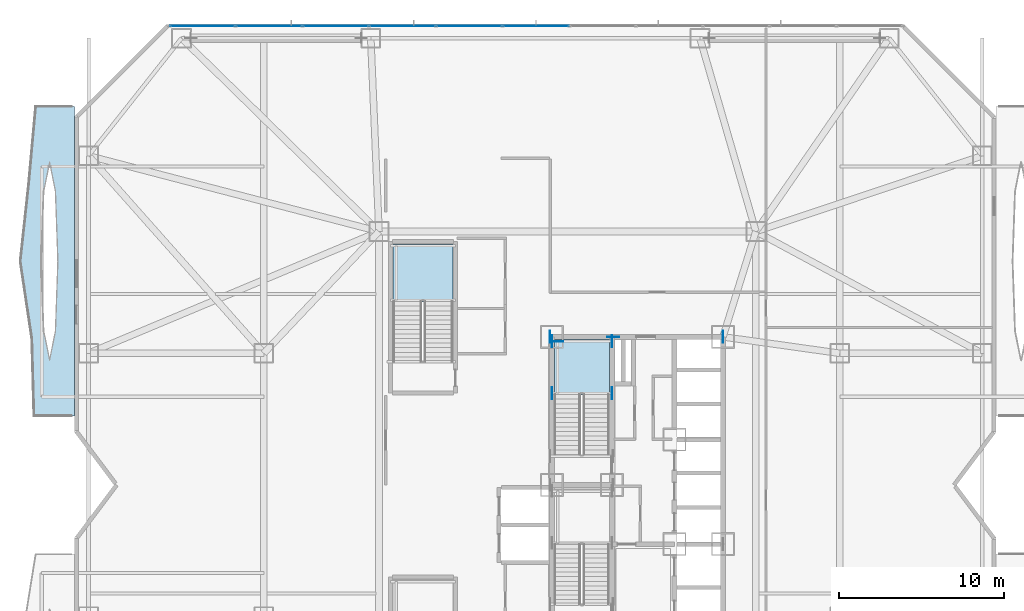
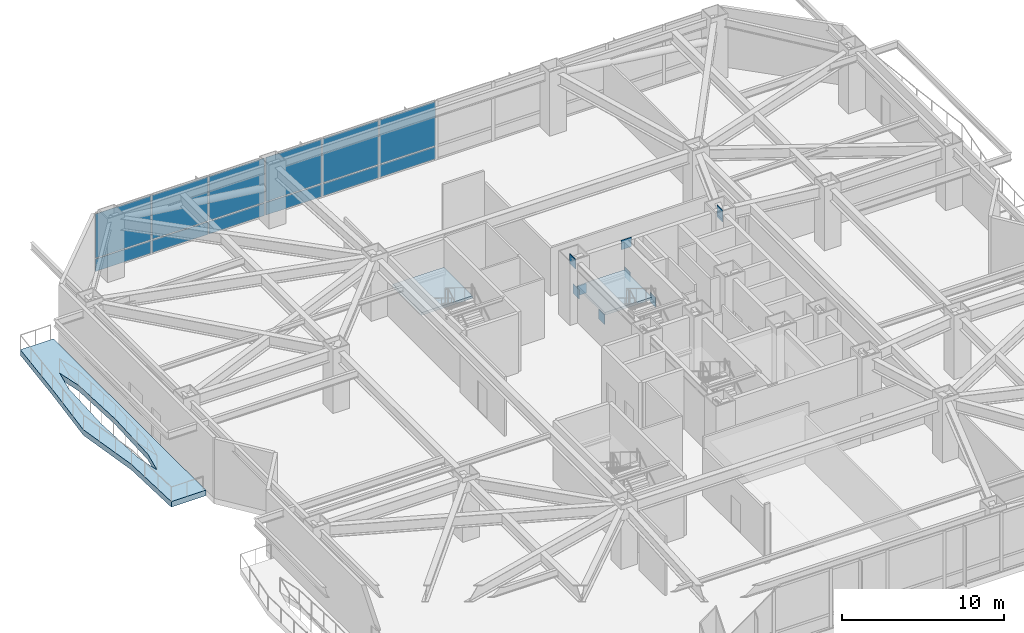
# One storey, part 19 of 33: 21 plates, 3 slabs, 3 elements without a shape of their own.
"""IFC4 building model written with IfcOpenShell, lengths in metres."""

from ifc_helpers import new_model, si_unit, direction, frame, origin, origin_2d, place, context, subcontext, project, spatial, polyline, rectangle, outline, extrude, material, layer, layer_set, type_object, element, aggregate, save


model = new_model("IFC4")

# Units and contexts
model_context = context("Model", 3, precision=1e-05, world=origin(), true_north=direction((0.0, 1.0)))
body_context = subcontext(model_context, "Body", "Model", "MODEL_VIEW")
ifc_project = project(units=[si_unit("LENGTHUNIT", "METRE"), si_unit("AREAUNIT", "SQUARE_METRE"), si_unit("VOLUMEUNIT", "CUBIC_METRE"), si_unit("PLANEANGLEUNIT", "RADIAN"), si_unit("MASSUNIT", "GRAM", prefix="KILO")], contexts=[model_context])

# Site, building, storey
site_placement = place(None, origin())
site = spatial("IfcSite", under=ifc_project, at=site_placement, CompositionType="ELEMENT")
building_placement = place(site_placement, origin())
building = spatial("IfcBuilding", under=site, at=building_placement, Name="Khamvora Tower", CompositionType="ELEMENT")
storey_placement = place(building_placement, frame((0.0, 0.0, 7.199951171875)))
storey = spatial("IfcBuildingStorey", under=building, at=storey_placement, Name="L01", CompositionType="ELEMENT", Elevation=7.199951171875)

# Curtain wall, plates
ifc_material_1 = material(Name="Anodised Aluminium 6063-T6", Category="aluminium")
curtain_wall_type = type_object("IfcCurtainWallType", Name="CW-SYS-01", PredefinedType="NOTDEFINED", material=ifc_material_1)
curtain_wall_placement = place(storey_placement, origin())
curtain_wall = element("IfcCurtainWall", 1, at=curtain_wall_placement, inside=storey, type_object=curtain_wall_type, Name="L01 stick curtain wall 07.1", PredefinedType="NOTDEFINED")
ifc_material_2 = material(Name="Low-E Laminated Double Glazing", Category="glass")
ifc_layer_1 = layer(ifc_material_2, 0.035888671875)
ifc_layer_set_1 = layer_set([ifc_layer_1], Name="Low-E Laminated Double Glazing")
plate_type_1 = type_object("IfcPlateType", Name="CW-SYS-01-PNL", PredefinedType="CURTAIN_PANEL", material=ifc_layer_set_1)
plate_1_placement = place(storey_placement, frame((7.774169921875, 55.8798828125, 0.074951171875), z_axis=(0.0, 0.0, 1.0), x_axis=(1.0, 0.0, 0.0)))
plate_1 = element("IfcPlate", 2, at=plate_1_placement, type_object=plate_type_1, Name="CW-01 panel 1.1", PredefinedType="CURTAIN_PANEL", context=body_context, shape_type="SweptSolid", body=[
    extrude(rectangle(XDim=3.944091796875, YDim=0.035888671875, at=origin_2d()), origin(), (0.0, 0.0, 1.0), 0.9375),
])
plate_2_placement = place(storey_placement, frame((7.774169921875, 55.8798828125, 1.087646484375), z_axis=(0.0, 0.0, 1.0), x_axis=(1.0, 0.0, 0.0)))
plate_2 = element("IfcPlate", 3, at=plate_2_placement, type_object=plate_type_1, Name="CW-01 panel 1.2", PredefinedType="CURTAIN_PANEL", context=body_context, shape_type="SweptSolid", body=[
    extrude(rectangle(XDim=3.944091796875, YDim=0.035888671875, at=origin_2d()), origin(), (0.0, 0.0, 1.0), 3.3173828125),
])
plate_3_placement = place(storey_placement, frame((11.81201171875, 55.8798828125, 0.074951171875), z_axis=(0.0, 0.0, 1.0), x_axis=(1.0, 0.0, 0.0)))
plate_3 = element("IfcPlate", 4, at=plate_3_placement, type_object=plate_type_1, Name="CW-01 panel 2.1", PredefinedType="CURTAIN_PANEL", context=body_context, shape_type="SweptSolid", body=[
    extrude(rectangle(XDim=3.981689453125, YDim=0.035888671875, at=origin_2d()), origin(), (0.0, 0.0, 1.0), 0.9375),
])
plate_4_placement = place(storey_placement, frame((11.81201171875, 55.8798828125, 1.087646484375), z_axis=(0.0, 0.0, 1.0), x_axis=(1.0, 0.0, 0.0)))
plate_4 = element("IfcPlate", 5, at=plate_4_placement, type_object=plate_type_1, Name="CW-01 panel 2.2", PredefinedType="CURTAIN_PANEL", context=body_context, shape_type="SweptSolid", body=[
    extrude(rectangle(XDim=3.981689453125, YDim=0.035888671875, at=origin_2d()), origin(), (0.0, 0.0, 1.0), 3.3173828125),
])
plate_5_placement = place(storey_placement, frame((15.86865234375, 55.8798828125, 0.074951171875), z_axis=(0.0, 0.0, 1.0), x_axis=(1.0, 0.0, 0.0)))
plate_5 = element("IfcPlate", 6, at=plate_5_placement, type_object=plate_type_1, Name="CW-01 panel 3.1", PredefinedType="CURTAIN_PANEL", context=body_context, shape_type="SweptSolid", body=[
    extrude(rectangle(XDim=3.981689453125, YDim=0.035888671875, at=origin_2d()), origin(), (0.0, 0.0, 1.0), 0.9375),
])
plate_6_placement = place(storey_placement, frame((15.86865234375, 55.8798828125, 1.087646484375), z_axis=(0.0, 0.0, 1.0), x_axis=(1.0, 0.0, 0.0)))
plate_6 = element("IfcPlate", 7, at=plate_6_placement, type_object=plate_type_1, Name="CW-01 panel 3.2", PredefinedType="CURTAIN_PANEL", context=body_context, shape_type="SweptSolid", body=[
    extrude(rectangle(XDim=3.981689453125, YDim=0.035888671875, at=origin_2d()), origin(), (0.0, 0.0, 1.0), 3.3173828125),
])
plate_7_placement = place(storey_placement, frame((19.92529296875, 55.8798828125, 0.074951171875), z_axis=(0.0, 0.0, 1.0), x_axis=(1.0, 0.0, 0.0)))
plate_7 = element("IfcPlate", 8, at=plate_7_placement, type_object=plate_type_1, Name="CW-01 panel 4.1", PredefinedType="CURTAIN_PANEL", context=body_context, shape_type="SweptSolid", body=[
    extrude(rectangle(XDim=3.981689453125, YDim=0.035888671875, at=origin_2d()), origin(), (0.0, 0.0, 1.0), 0.9375),
])
plate_8_placement = place(storey_placement, frame((19.92529296875, 55.8798828125, 1.087646484375), z_axis=(0.0, 0.0, 1.0), x_axis=(1.0, 0.0, 0.0)))
plate_8 = element("IfcPlate", 9, at=plate_8_placement, type_object=plate_type_1, Name="CW-01 panel 4.2", PredefinedType="CURTAIN_PANEL", context=body_context, shape_type="SweptSolid", body=[
    extrude(rectangle(XDim=3.981689453125, YDim=0.035888671875, at=origin_2d()), origin(), (0.0, 0.0, 1.0), 3.3173828125),
])
plate_9_placement = place(storey_placement, frame((23.98193359375, 55.8798828125, 0.074951171875), z_axis=(0.0, 0.0, 1.0), x_axis=(1.0, 0.0, 0.0)))
plate_9 = element("IfcPlate", 10, at=plate_9_placement, type_object=plate_type_1, Name="CW-01 panel 5.1", PredefinedType="CURTAIN_PANEL", context=body_context, shape_type="SweptSolid", body=[
    extrude(rectangle(XDim=3.981689453125, YDim=0.035888671875, at=origin_2d()), origin(), (0.0, 0.0, 1.0), 0.9375),
])
plate_10_placement = place(storey_placement, frame((23.98193359375, 55.8798828125, 1.087646484375), z_axis=(0.0, 0.0, 1.0), x_axis=(1.0, 0.0, 0.0)))
plate_10 = element("IfcPlate", 11, at=plate_10_placement, type_object=plate_type_1, Name="CW-01 panel 5.2", PredefinedType="CURTAIN_PANEL", context=body_context, shape_type="SweptSolid", body=[
    extrude(rectangle(XDim=3.981689453125, YDim=0.035888671875, at=origin_2d()), origin(), (0.0, 0.0, 1.0), 3.3173828125),
])
plate_11_placement = place(storey_placement, frame((28.03857421875, 55.8798828125, 0.074951171875), z_axis=(0.0, 0.0, 1.0), x_axis=(1.0, 0.0, 0.0)))
plate_11 = element("IfcPlate", 12, at=plate_11_placement, type_object=plate_type_1, Name="CW-01 panel 6.1", PredefinedType="CURTAIN_PANEL", context=body_context, shape_type="SweptSolid", body=[
    extrude(rectangle(XDim=3.981689453125, YDim=0.035888671875, at=origin_2d()), origin(), (0.0, 0.0, 1.0), 0.9375),
])
plate_12_placement = place(storey_placement, frame((28.03857421875, 55.8798828125, 1.087646484375), z_axis=(0.0, 0.0, 1.0), x_axis=(1.0, 0.0, 0.0)))
plate_12 = element("IfcPlate", 13, at=plate_12_placement, type_object=plate_type_1, Name="CW-01 panel 6.2", PredefinedType="CURTAIN_PANEL", context=body_context, shape_type="SweptSolid", body=[
    extrude(rectangle(XDim=3.981689453125, YDim=0.035888671875, at=origin_2d()), origin(), (0.0, 0.0, 1.0), 3.3173828125),
])
aggregate(curtain_wall, [plate_1, plate_2, plate_3, plate_4, plate_5, plate_6, plate_7, plate_8, plate_9, plate_10, plate_11, plate_12])

# Plates
ifc_material_3 = material(Name="Steel S460", Category="steel")
ifc_layer_2 = layer(ifc_material_3, 0.034912109375)
ifc_layer_set_2 = layer_set([ifc_layer_2], Name="Steel S460")
plate_type_2 = type_object("IfcPlateType", Name="PL-EMB-35", PredefinedType="SHEET", material=ifc_layer_set_2)
for number, where, z_axis, x_axis, name in (
    (14, (29.0, 33.574951171875, 1.708984375), (0.0, 0.0, 1.0), (1.0, 0.0, 0.0), "L01 core shear wall cast-in embed plate 0083"),
    (15, (32.64990234375, 33.574951171875, 1.708984375), (0.0, 0.0, 1.0), (1.0, 0.0, 0.0), "L01 core shear wall cast-in embed plate 0084"),
    (16, (29.0, 36.72998046875, 1.708984375), (0.0, 0.0, 1.0), (1.0, 0.0, 0.0), "L01 core shear wall cast-in embed plate 0085"),
    (17, (32.64990234375, 36.72998046875, 1.708984375), (0.0, 0.0, 1.0), (1.0, 0.0, 0.0), "L01 core shear wall cast-in embed plate 0086"),
):
    element("IfcPlate", number, at=place(storey_placement, frame(where, z_axis=z_axis, x_axis=x_axis)), inside=storey, type_object=plate_type_2, Name=name, PredefinedType="SHEET", context=body_context, shape_type="SweptSolid", body=[
        extrude(rectangle(XDim=0.034912109375, YDim=0.719970703125, at=origin_2d()), origin(), (0.0, 0.0, 1.0), 0.719970703125),
    ])
plate_13_placement = place(storey_placement, frame((29.35009765625, 36.72998046875, 1.708984375), z_axis=(0.0, 0.0, 1.0), x_axis=(1.0, 0.0, 0.0)))
element("IfcPlate", 18, at=plate_13_placement, inside=storey, type_object=plate_type_2, Name="L01 core shear wall cast-in embed plate 0087", PredefinedType="SHEET", context=body_context, shape_type="SweptSolid", body=[
    extrude(rectangle(XDim=0.719970703125, YDim=0.034912109375, at=origin_2d()), origin(), (0.0, 0.0, 1.0), 0.719970703125),
])
for number, where, z_axis, x_axis, name in (
    (19, (39.39990234375, 37.0, 3.69189453125), (0.0, 0.0, 1.0), (1.0, 0.0, 0.0), "L01 core shear wall cast-in embed plate 0089"),
    (20, (28.89990234375, 37.0, 3.85302734375), (0.0, 0.0, 1.0), (1.0, 0.0, 0.0), "L01 core shear wall cast-in embed plate 0092"),
):
    element("IfcPlate", number, at=place(storey_placement, frame(where, z_axis=z_axis, x_axis=x_axis)), inside=storey, type_object=plate_type_2, Name=name, PredefinedType="SHEET", context=body_context, shape_type="SweptSolid", body=[
        extrude(rectangle(XDim=0.034912109375, YDim=0.719970703125, at=origin_2d()), origin(), (0.0, 0.0, 1.0), 0.719970703125),
    ])
plate_14_placement = place(storey_placement, frame((32.72998046875, 37.0, 3.85302734375), z_axis=(0.0, 0.0, 1.0), x_axis=(1.0, 0.0, 0.0)))
element("IfcPlate", 21, at=plate_14_placement, inside=storey, type_object=plate_type_2, Name="L01 core shear wall cast-in embed plate 0095", PredefinedType="SHEET", context=body_context, shape_type="SweptSolid", body=[
    extrude(rectangle(XDim=0.719970703125, YDim=0.034912109375, at=origin_2d()), origin(), (0.0, 0.0, 1.0), 0.719970703125),
])
plate_15_placement = place(storey_placement, frame((39.39990234375, 37.0, 3.85302734375), z_axis=(0.0, 0.0, 1.0), x_axis=(1.0, 0.0, 0.0)))
element("IfcPlate", 22, at=plate_15_placement, inside=storey, type_object=plate_type_2, Name="L01 core shear wall cast-in embed plate 0098", PredefinedType="SHEET", context=body_context, shape_type="SweptSolid", body=[
    extrude(rectangle(XDim=0.034912109375, YDim=0.719970703125, at=origin_2d()), origin(), (0.0, 0.0, 1.0), 0.719970703125),
])

# Slab
ifc_material_4 = material(Name="Concrete C40/50", Category="concrete")
ifc_layer_3 = layer(ifc_material_4, 0.419921875)
ifc_layer_set_3 = layer_set([ifc_layer_3], Name="Concrete C40/50")
slab_type_1 = type_object("IfcSlabType", Name="SLB-GRD-420", PredefinedType="FLOOR", material=ifc_layer_set_3)
slab_1_placement = place(storey_placement, frame((0.0, 0.0, -0.419921875)))
element("IfcSlab", 23, at=slab_1_placement, inside=storey, type_object=slab_type_1, Name="L01 external lens gallery slab WL2", PredefinedType="FLOOR", context=body_context, shape_type="SweptSolid", body=[
    extrude(outline(polyline([(0.0, 32.199951171875), (0.0, 51.0), (-2.35302734375, 51.0), (-2.779052734375, 46.300048828125), (-3.2900390625, 41.60009765625), (-2.5869140625, 36.89990234375), (-2.4580078125, 32.199951171875), (0.0, 32.199951171875)]), holes=[polyline([(-1.010986328125, 41.60009765625), (-1.158935546875, 45.85400390625), (-1.514892578125, 47.615966796875), (-1.87109375, 45.85400390625), (-2.01904296875, 41.60009765625), (-1.87109375, 37.345947265625), (-1.514892578125, 35.583984375), (-1.158935546875, 37.345947265625), (-1.010986328125, 41.60009765625)])]), origin(), (0.0, 0.0, 1.0), 0.419921875),
])

# Stair, slab
stair_type_1 = type_object("IfcStairType", Name="STR-ST-02", PredefinedType="HALF_TURN_STAIR", material=ifc_material_4)
stair_1_placement = place(storey_placement, origin())
stair_1 = element("IfcStair", 24, at=stair_1_placement, inside=storey, type_object=stair_type_1, Name="L01 North Tower Exit Stair ST-02", PredefinedType="HALF_TURN_STAIR")
ifc_layer_4 = layer(ifc_material_4, 0.199951171875)
ifc_layer_set_4 = layer_set([ifc_layer_4], Name="Concrete C40/50")
slab_type_2 = type_object("IfcSlabType", Name="SLB-LND-200", PredefinedType="LANDING", material=ifc_layer_set_4)
slab_2_placement = place(storey_placement, frame((0.0, 0.0, 2.199951171875)))
slab_2 = element("IfcSlab", 25, at=slab_2_placement, type_object=slab_type_2, Name="ST-02 landing 1", PredefinedType="LANDING", context=body_context, shape_type="SweptSolid", body=[
    extrude(outline(polyline([(32.5, 33.455078125), (32.5, 36.85009765625), (29.14990234375, 36.85009765625), (29.14990234375, 33.455078125), (32.5, 33.455078125)])), origin(), (0.0, 0.0, 1.0), 0.2001953125),
])
aggregate(stair_1, [slab_2])

stair_type_2 = type_object("IfcStairType", Name="STR-ST-04", PredefinedType="HALF_TURN_STAIR", material=ifc_material_4)
stair_2_placement = place(storey_placement, origin())
stair_2 = element("IfcStair", 26, at=stair_2_placement, inside=storey, type_object=stair_type_2, Name="L01 North School Podium Stair ST-04", PredefinedType="HALF_TURN_STAIR")
slab_3_placement = place(storey_placement, frame((0.0, 0.0, 2.199951171875)))
slab_3 = element("IfcSlab", 27, at=slab_3_placement, type_object=slab_type_2, Name="ST-04 landing 1", PredefinedType="LANDING", context=body_context, shape_type="SweptSolid", body=[
    extrude(outline(polyline([(23.0, 39.10498046875), (23.0, 42.64990234375), (19.35009765625, 42.64990234375), (19.35009765625, 39.10498046875), (23.0, 39.10498046875)])), origin(), (0.0, 0.0, 1.0), 0.2001953125),
])
aggregate(stair_2, [slab_3])

save(model, "model.ifc")
